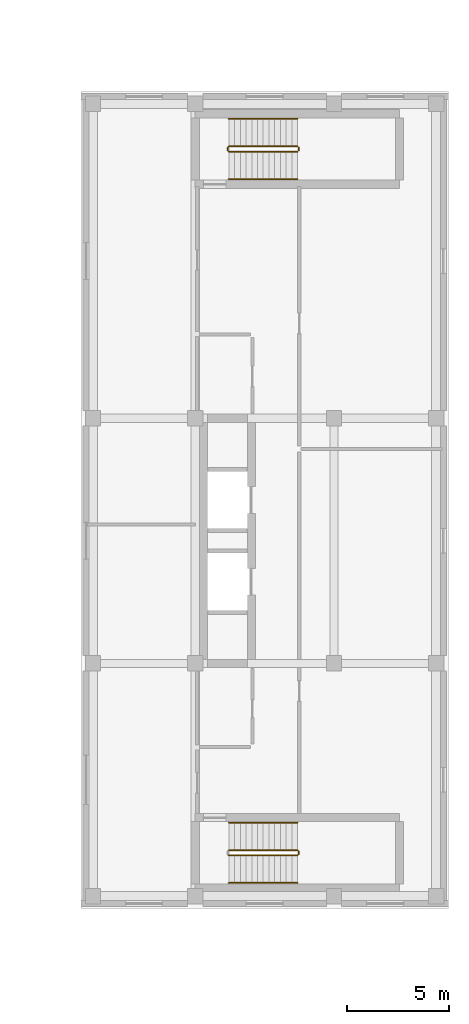
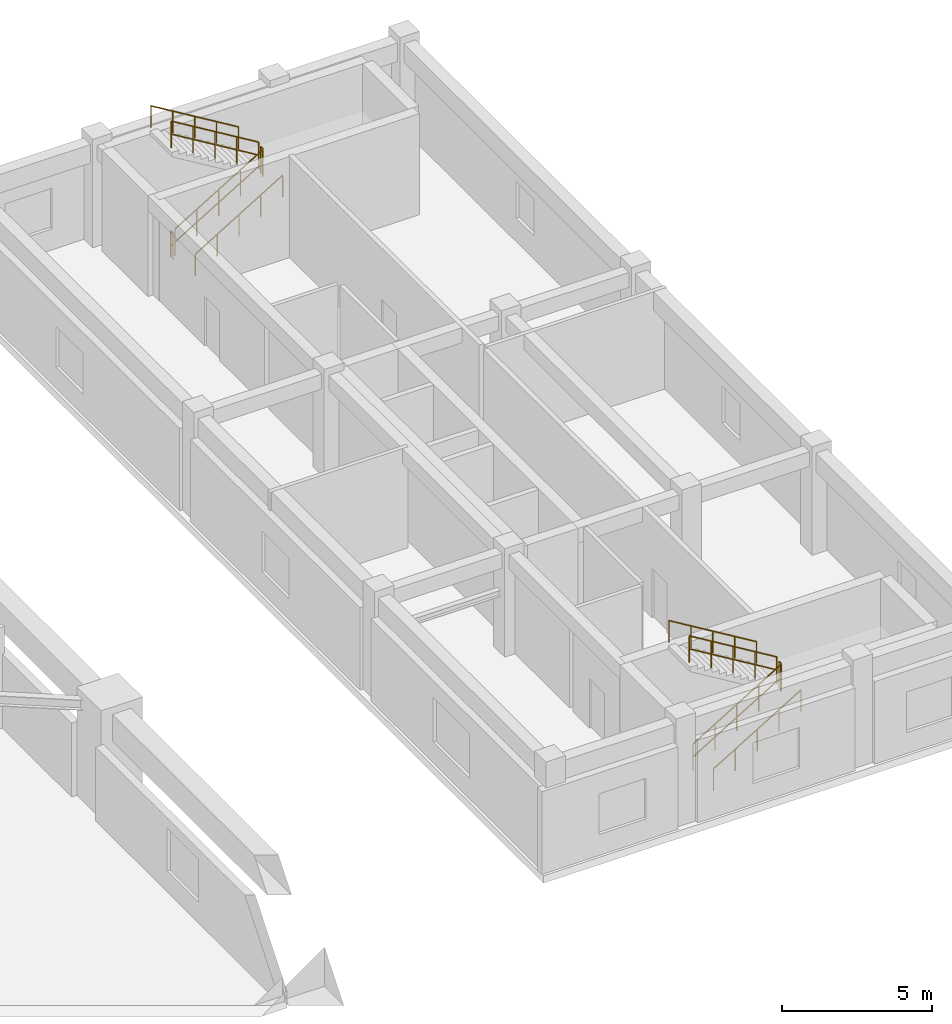
# One storey, part 16 of 16: 11 railings.
"""IFC4 building model written with IfcOpenShell, lengths in metres."""

from ifc_helpers import new_model, si_unit, direction, frame, origin, origin_2d, place, context, subcontext, project, spatial, circle, extrude, material, type_object, element, save


model = new_model("IFC4")

# Units and contexts
model_context = context("Model", 3, precision=1e-05, world=origin(), true_north=direction((0.0, 1.0)))
body_context = subcontext(model_context, "Body", "Model", "MODEL_VIEW")
ifc_project = project(units=[si_unit("LENGTHUNIT", "METRE"), si_unit("AREAUNIT", "SQUARE_METRE"), si_unit("VOLUMEUNIT", "CUBIC_METRE"), si_unit("PLANEANGLEUNIT", "RADIAN"), si_unit("MASSUNIT", "GRAM", prefix="KILO")], contexts=[model_context])

# Site, building, storey
site_placement = place(None, origin())
site = spatial("IfcSite", under=ifc_project, at=site_placement, CompositionType="ELEMENT")
building_placement = place(site_placement, origin())
building = spatial("IfcBuilding", under=site, at=building_placement, Name="Veraguas Prism Commons", CompositionType="ELEMENT")
storey_placement = place(building_placement, frame((0.0, 0.0, 14.0)))
storey = spatial("IfcBuildingStorey", under=building, at=storey_placement, Name="L03", CompositionType="ELEMENT", Elevation=14.0)

# Railings
ifc_material = material(Name="Stainless steel AISI 316", Category="steel")
railing_type_1 = type_object("IfcRailingType", Name="Stair and Ramp Stainless Handrail 900", PredefinedType="HANDRAIL", material=ifc_material)
railing_1_placement = place(storey_placement, frame((64.25, 5.25, 0.169189453125)))
element("IfcRailing", 1, at=railing_1_placement, inside=storey, type_object=railing_type_1, Name="Stair Handrail ST-H1 L03-1", PredefinedType="HANDRAIL", context=body_context, shape_type="SweptSolid", body=[
    extrude(circle(Radius=0.02392578125, at=origin_2d()), frame((0.0, 0.0, 0.8759765625), z_axis=(0.855836976705, 0.0, 0.517245656632), x_axis=(0.0, 1.0, 0.0)), (0.0, 0.0, 1.0), 3.926025390625),
    extrude(circle(Radius=0.02099609375, at=origin_2d()), origin(), (0.0, 0.0, 1.0), 0.851806640625),
    extrude(circle(Radius=0.02099609375, at=origin_2d()), frame((0.840087890625, 0.0, 0.5078125)), (0.0, 0.0, 1.0), 0.851806640625),
    extrude(circle(Radius=0.02099609375, at=origin_2d()), frame((1.68017578125, 0.0, 1.015380859375)), (0.0, 0.0, 1.0), 0.851806640625),
    extrude(circle(Radius=0.02099609375, at=origin_2d()), frame((2.52001953125, 0.0, 1.52294921875)), (0.0, 0.0, 1.0), 0.851806640625),
    extrude(circle(Radius=0.02099609375, at=origin_2d()), frame((3.360107421875, 0.0, 2.03076171875)), (0.0, 0.0, 1.0), 0.851806640625),
])
railing_2_placement = place(storey_placement, frame((67.610107421875, 8.199951171875, 2.369140625)))
element("IfcRailing", 2, at=railing_2_placement, inside=storey, type_object=railing_type_1, Name="Stair Handrail ST-H1 L03-2", PredefinedType="HANDRAIL", context=body_context, shape_type="SweptSolid", body=[
    extrude(circle(Radius=0.02392578125, at=origin_2d()), frame((0.0, 0.0, 0.8759765625), z_axis=(-0.855836976705, 0.0, 0.517245656632), x_axis=(0.0, -1.0, 0.0)), (0.0, 0.0, 1.0), 3.926025390625),
    extrude(circle(Radius=0.02099609375, at=origin_2d()), origin(), (0.0, 0.0, 1.0), 0.851806640625),
    extrude(circle(Radius=0.02099609375, at=origin_2d()), frame((-0.840087890625, 0.0, 0.5078125)), (0.0, 0.0, 1.0), 0.851806640625),
    extrude(circle(Radius=0.02099609375, at=origin_2d()), frame((-1.68017578125, 0.0, 1.015380859375)), (0.0, 0.0, 1.0), 0.851806640625),
    extrude(circle(Radius=0.02099609375, at=origin_2d()), frame((-2.52001953125, 0.0, 1.52294921875)), (0.0, 0.0, 1.0), 0.851806640625),
    extrude(circle(Radius=0.02099609375, at=origin_2d()), frame((-3.360107421875, 0.0, 2.03076171875)), (0.0, 0.0, 1.0), 0.851806640625),
])
railing_3_placement = place(storey_placement, frame((64.25, 39.7099609375, 0.169189453125)))
element("IfcRailing", 3, at=railing_3_placement, inside=storey, type_object=railing_type_1, Name="Stair Handrail ST-H2 L03-1", PredefinedType="HANDRAIL", context=body_context, shape_type="SweptSolid", body=[
    extrude(circle(Radius=0.02392578125, at=origin_2d()), frame((0.0, 0.0, 0.8759765625), z_axis=(0.855836976705, 0.0, 0.517245656632), x_axis=(0.0, 1.0, 0.0)), (0.0, 0.0, 1.0), 3.926025390625),
    extrude(circle(Radius=0.02099609375, at=origin_2d()), origin(), (0.0, 0.0, 1.0), 0.851806640625),
    extrude(circle(Radius=0.02099609375, at=origin_2d()), frame((0.840087890625, 0.0, 0.5078125)), (0.0, 0.0, 1.0), 0.851806640625),
    extrude(circle(Radius=0.02099609375, at=origin_2d()), frame((1.68017578125, 0.0, 1.015380859375)), (0.0, 0.0, 1.0), 0.851806640625),
    extrude(circle(Radius=0.02099609375, at=origin_2d()), frame((2.52001953125, 0.0, 1.52294921875)), (0.0, 0.0, 1.0), 0.851806640625),
    extrude(circle(Radius=0.02099609375, at=origin_2d()), frame((3.360107421875, 0.0, 2.03076171875)), (0.0, 0.0, 1.0), 0.851806640625),
])
railing_4_placement = place(storey_placement, frame((67.610107421875, 42.659912109375, 2.369140625)))
element("IfcRailing", 4, at=railing_4_placement, inside=storey, type_object=railing_type_1, Name="Stair Handrail ST-H2 L03-2", PredefinedType="HANDRAIL", context=body_context, shape_type="SweptSolid", body=[
    extrude(circle(Radius=0.02392578125, at=origin_2d()), frame((0.0, 0.0, 0.8759765625), z_axis=(-0.855836976705, 0.0, 0.517245656632), x_axis=(0.0, -1.0, 0.0)), (0.0, 0.0, 1.0), 3.926025390625),
    extrude(circle(Radius=0.02099609375, at=origin_2d()), origin(), (0.0, 0.0, 1.0), 0.851806640625),
    extrude(circle(Radius=0.02099609375, at=origin_2d()), frame((-0.840087890625, 0.0, 0.5078125)), (0.0, 0.0, 1.0), 0.851806640625),
    extrude(circle(Radius=0.02099609375, at=origin_2d()), frame((-1.68017578125, 0.0, 1.015380859375)), (0.0, 0.0, 1.0), 0.851806640625),
    extrude(circle(Radius=0.02099609375, at=origin_2d()), frame((-2.52001953125, 0.0, 1.52294921875)), (0.0, 0.0, 1.0), 0.851806640625),
    extrude(circle(Radius=0.02099609375, at=origin_2d()), frame((-3.360107421875, 0.0, 2.03076171875)), (0.0, 0.0, 1.0), 0.851806640625),
])
railing_type_2 = type_object("IfcRailingType", Name="Stairwell Safety Guardrail 1100", PredefinedType="GUARDRAIL", material=ifc_material)
railing_5_placement = place(storey_placement, frame((64.25, 6.60009765625, 0.169189453125)))
element("IfcRailing", 5, at=railing_5_placement, inside=storey, type_object=railing_type_2, Name="Stair Guard ST-H1 L03-1", PredefinedType="GUARDRAIL", context=body_context, shape_type="SweptSolid", body=[
    extrude(circle(Radius=0.02392578125, at=origin_2d()), frame((0.0, 0.0, 1.076171875), z_axis=(0.855836976705, 0.0, 0.517245656632), x_axis=(0.0, 1.0, 0.0)), (0.0, 0.0, 1.0), 3.926025390625),
    extrude(circle(Radius=0.02392578125, at=origin_2d()), frame((0.0, 0.0, 0.550048828125), z_axis=(0.855836976705, 0.0, 0.517245656632), x_axis=(0.0, 1.0, 0.0)), (0.0, 0.0, 1.0), 3.926025390625),
    extrude(circle(Radius=0.02099609375, at=origin_2d()), origin(), (0.0, 0.0, 1.0), 1.052001953125),
    extrude(circle(Radius=0.02099609375, at=origin_2d()), frame((0.840087890625, 0.0, 0.5078125)), (0.0, 0.0, 1.0), 1.052001953125),
    extrude(circle(Radius=0.02099609375, at=origin_2d()), frame((1.68017578125, 0.0, 1.015380859375)), (0.0, 0.0, 1.0), 1.052001953125),
    extrude(circle(Radius=0.02099609375, at=origin_2d()), frame((2.52001953125, 0.0, 1.52294921875)), (0.0, 0.0, 1.0), 1.052001953125),
    extrude(circle(Radius=0.02099609375, at=origin_2d()), frame((3.360107421875, 0.0, 2.03076171875)), (0.0, 0.0, 1.0), 1.052001953125),
])
railing_6_placement = place(storey_placement, frame((67.659912109375, 6.64990234375, 2.199951171875)))
element("IfcRailing", 6, at=railing_6_placement, inside=storey, type_object=railing_type_2, Name="Stair Guard ST-H1 L03-2", PredefinedType="GUARDRAIL", context=body_context, shape_type="SweptSolid", body=[
    extrude(circle(Radius=0.02392578125, at=origin_2d()), frame((0.0, 0.0, 1.076171875), z_axis=(0.0, 1.0, 0.0), x_axis=(-1.0, 0.0, 0.0)), (0.0, 0.0, 1.0), 0.150146484375),
    extrude(circle(Radius=0.02392578125, at=origin_2d()), frame((0.0, 0.0, 0.550048828125), z_axis=(0.0, 1.0, 0.0), x_axis=(-1.0, 0.0, 0.0)), (0.0, 0.0, 1.0), 0.150146484375),
    extrude(circle(Radius=0.02099609375, at=origin_2d()), origin(), (0.0, 0.0, 1.0), 1.052001953125),
    extrude(circle(Radius=0.02099609375, at=origin_2d()), frame((0.0, 0.150146484375, 0.0)), (0.0, 0.0, 1.0), 1.052001953125),
])
railing_7_placement = place(storey_placement, frame((67.610107421875, 6.85009765625, 2.369140625)))
element("IfcRailing", 7, at=railing_7_placement, inside=storey, type_object=railing_type_2, Name="Stair Guard ST-H1 L03-3", PredefinedType="GUARDRAIL", context=body_context, shape_type="SweptSolid", body=[
    extrude(circle(Radius=0.02392578125, at=origin_2d()), frame((0.0, 0.0, 1.076171875), z_axis=(-0.855836976705, 0.0, 0.517245656632), x_axis=(0.0, -1.0, 0.0)), (0.0, 0.0, 1.0), 3.926025390625),
    extrude(circle(Radius=0.02392578125, at=origin_2d()), frame((0.0, 0.0, 0.550048828125), z_axis=(-0.855836976705, 0.0, 0.517245656632), x_axis=(0.0, -1.0, 0.0)), (0.0, 0.0, 1.0), 3.926025390625),
    extrude(circle(Radius=0.02099609375, at=origin_2d()), origin(), (0.0, 0.0, 1.0), 1.052001953125),
    extrude(circle(Radius=0.02099609375, at=origin_2d()), frame((-0.840087890625, 0.0, 0.5078125)), (0.0, 0.0, 1.0), 1.052001953125),
    extrude(circle(Radius=0.02099609375, at=origin_2d()), frame((-1.68017578125, 0.0, 1.015380859375)), (0.0, 0.0, 1.0), 1.052001953125),
    extrude(circle(Radius=0.02099609375, at=origin_2d()), frame((-2.52001953125, 0.0, 1.52294921875)), (0.0, 0.0, 1.0), 1.052001953125),
    extrude(circle(Radius=0.02099609375, at=origin_2d()), frame((-3.360107421875, 0.0, 2.03076171875)), (0.0, 0.0, 1.0), 1.052001953125),
])
railing_8_placement = place(storey_placement, frame((64.25, 41.06005859375, 0.169189453125)))
element("IfcRailing", 8, at=railing_8_placement, inside=storey, type_object=railing_type_2, Name="Stair Guard ST-H2 L03-1", PredefinedType="GUARDRAIL", context=body_context, shape_type="SweptSolid", body=[
    extrude(circle(Radius=0.02392578125, at=origin_2d()), frame((0.0, 0.0, 1.076171875), z_axis=(0.855836976705, 0.0, 0.517245656632), x_axis=(0.0, 1.0, 0.0)), (0.0, 0.0, 1.0), 3.926025390625),
    extrude(circle(Radius=0.02392578125, at=origin_2d()), frame((0.0, 0.0, 0.550048828125), z_axis=(0.855836976705, 0.0, 0.517245656632), x_axis=(0.0, 1.0, 0.0)), (0.0, 0.0, 1.0), 3.926025390625),
    extrude(circle(Radius=0.02099609375, at=origin_2d()), origin(), (0.0, 0.0, 1.0), 1.052001953125),
    extrude(circle(Radius=0.02099609375, at=origin_2d()), frame((0.840087890625, 0.0, 0.5078125)), (0.0, 0.0, 1.0), 1.052001953125),
    extrude(circle(Radius=0.02099609375, at=origin_2d()), frame((1.68017578125, 0.0, 1.015380859375)), (0.0, 0.0, 1.0), 1.052001953125),
    extrude(circle(Radius=0.02099609375, at=origin_2d()), frame((2.52001953125, 0.0, 1.52294921875)), (0.0, 0.0, 1.0), 1.052001953125),
    extrude(circle(Radius=0.02099609375, at=origin_2d()), frame((3.360107421875, 0.0, 2.03076171875)), (0.0, 0.0, 1.0), 1.052001953125),
])
railing_9_placement = place(storey_placement, frame((67.659912109375, 41.110107421875, 2.199951171875)))
element("IfcRailing", 9, at=railing_9_placement, inside=storey, type_object=railing_type_2, Name="Stair Guard ST-H2 L03-2", PredefinedType="GUARDRAIL", context=body_context, shape_type="SweptSolid", body=[
    extrude(circle(Radius=0.02392578125, at=origin_2d()), frame((0.0, 0.0, 1.076171875), z_axis=(0.0, 1.0, 0.0), x_axis=(-1.0, 0.0, 0.0)), (0.0, 0.0, 1.0), 0.14990234375),
    extrude(circle(Radius=0.02392578125, at=origin_2d()), frame((0.0, 0.0, 0.550048828125), z_axis=(0.0, 1.0, 0.0), x_axis=(-1.0, 0.0, 0.0)), (0.0, 0.0, 1.0), 0.14990234375),
    extrude(circle(Radius=0.02099609375, at=origin_2d()), origin(), (0.0, 0.0, 1.0), 1.052001953125),
    extrude(circle(Radius=0.02099609375, at=origin_2d()), frame((0.0, 0.14990234375, 0.0)), (0.0, 0.0, 1.0), 1.052001953125),
])
railing_10_placement = place(storey_placement, frame((67.610107421875, 41.31005859375, 2.369140625)))
element("IfcRailing", 10, at=railing_10_placement, inside=storey, type_object=railing_type_2, Name="Stair Guard ST-H2 L03-3", PredefinedType="GUARDRAIL", context=body_context, shape_type="SweptSolid", body=[
    extrude(circle(Radius=0.02392578125, at=origin_2d()), frame((0.0, 0.0, 1.076171875), z_axis=(-0.855836976705, 0.0, 0.517245656632), x_axis=(0.0, -1.0, 0.0)), (0.0, 0.0, 1.0), 3.926025390625),
    extrude(circle(Radius=0.02392578125, at=origin_2d()), frame((0.0, 0.0, 0.550048828125), z_axis=(-0.855836976705, 0.0, 0.517245656632), x_axis=(0.0, -1.0, 0.0)), (0.0, 0.0, 1.0), 3.926025390625),
    extrude(circle(Radius=0.02099609375, at=origin_2d()), origin(), (0.0, 0.0, 1.0), 1.052001953125),
    extrude(circle(Radius=0.02099609375, at=origin_2d()), frame((-0.840087890625, 0.0, 0.5078125)), (0.0, 0.0, 1.0), 1.052001953125),
    extrude(circle(Radius=0.02099609375, at=origin_2d()), frame((-1.68017578125, 0.0, 1.015380859375)), (0.0, 0.0, 1.0), 1.052001953125),
    extrude(circle(Radius=0.02099609375, at=origin_2d()), frame((-2.52001953125, 0.0, 1.52294921875)), (0.0, 0.0, 1.0), 1.052001953125),
    extrude(circle(Radius=0.02099609375, at=origin_2d()), frame((-3.360107421875, 0.0, 2.03076171875)), (0.0, 0.0, 1.0), 1.052001953125),
])
railing_11_placement = place(storey_placement, frame((64.199951171875, 41.110107421875, 0.0)))
element("IfcRailing", 11, at=railing_11_placement, inside=storey, type_object=railing_type_2, Name="Stair Guard ST-H2 L03-4", PredefinedType="GUARDRAIL", context=body_context, shape_type="SweptSolid", body=[
    extrude(circle(Radius=0.02392578125, at=origin_2d()), frame((0.0, 0.0, 1.076171875), z_axis=(0.0, 1.0, 0.0), x_axis=(-1.0, 0.0, 0.0)), (0.0, 0.0, 1.0), 0.14990234375),
    extrude(circle(Radius=0.02392578125, at=origin_2d()), frame((0.0, 0.0, 0.550048828125), z_axis=(0.0, 1.0, 0.0), x_axis=(-1.0, 0.0, 0.0)), (0.0, 0.0, 1.0), 0.14990234375),
    extrude(circle(Radius=0.02099609375, at=origin_2d()), origin(), (0.0, 0.0, 1.0), 1.052001953125),
    extrude(circle(Radius=0.02099609375, at=origin_2d()), frame((0.0, 0.14990234375, 0.0)), (0.0, 0.0, 1.0), 1.052001953125),
])

save(model, "model.ifc")
